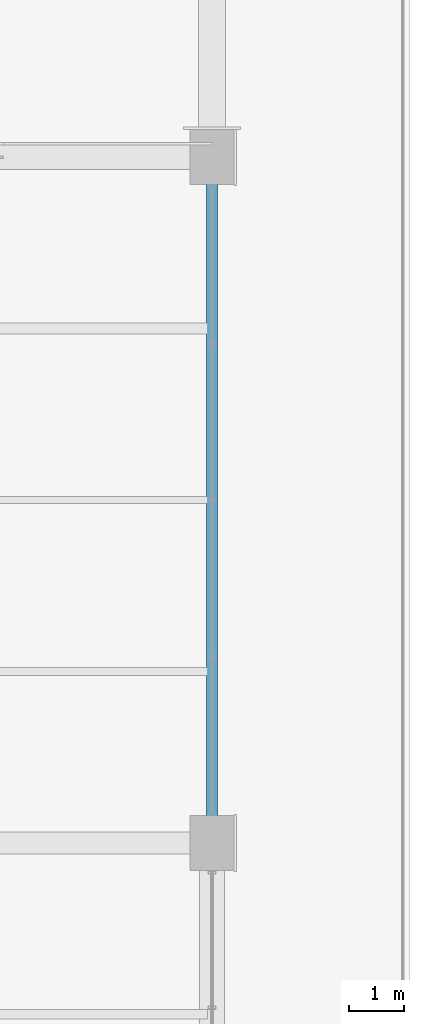
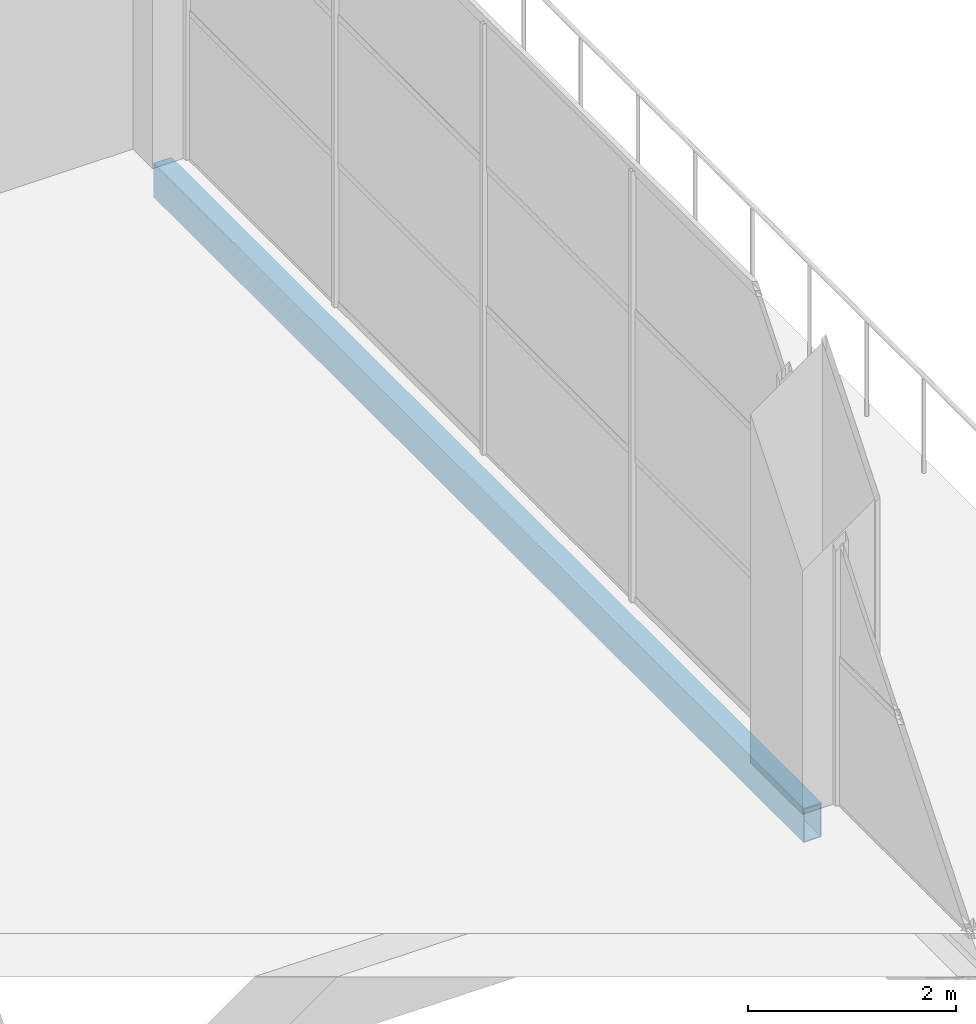
# One storey, part 30 of 90: 1 beam.
"""IFC4 building model written with IfcOpenShell, lengths in metres."""

from ifc_helpers import new_model, si_unit, direction, frame, origin, origin_2d, place, context, subcontext, project, spatial, hollow_rectangle, extrude, material, material_profile, profile_set, type_object, element, save


model = new_model("IFC4")

# Units and contexts
model_context = context("Model", 3, precision=1e-05, world=origin(), true_north=direction((0.0, 1.0)))
body_context = subcontext(model_context, "Body", "Model", "MODEL_VIEW")
ifc_project = project(units=[si_unit("LENGTHUNIT", "METRE"), si_unit("AREAUNIT", "SQUARE_METRE"), si_unit("VOLUMEUNIT", "CUBIC_METRE"), si_unit("PLANEANGLEUNIT", "RADIAN"), si_unit("MASSUNIT", "GRAM", prefix="KILO")], contexts=[model_context])

# Site, building, storey
site_placement = place(None, origin())
site = spatial("IfcSite", under=ifc_project, at=site_placement, CompositionType="ELEMENT")
building_placement = place(site_placement, origin())
building = spatial("IfcBuilding", under=site, at=building_placement, Name="Solvikara Media Centre", CompositionType="ELEMENT")
storey_placement = place(building_placement, origin())
storey = spatial("IfcBuildingStorey", under=building, at=storey_placement, Name="L00", CompositionType="ELEMENT", Elevation=0.0)

# Beam
ifc_material = material(Name="Steel S355JR", Category="steel")
ifc_material_profile = material_profile(ifc_material, hollow_rectangle(XDim=0.199951171875, YDim=0.39990234375, WallThickness=0.011962890625, at=origin_2d()), Name="RHS 400x200x12")
ifc_profile_set = profile_set([ifc_material_profile], Name="Steel S355JR")
beam_type = type_object("IfcBeamType", Name="BM-33", PredefinedType="SPANDREL", material=ifc_profile_set)
beam_placement = place(storey_placement, frame((34.0, 101.5, -0.5419921875), z_axis=(0.0, 1.0, 0.0), x_axis=(-1.0, 0.0, 0.0)))
element("IfcBeam", 1, at=beam_placement, inside=storey, type_object=beam_type, Name="B-L00-Y0159", PredefinedType="SPANDREL", context=body_context, shape_type="SweptSolid", body=[
    extrude(hollow_rectangle(XDim=0.199951171875, YDim=0.39990234375, WallThickness=0.011962890625, at=origin_2d()), origin(), (0.0, 0.0, 1.0), 12.5),
])

save(model, "model.ifc")
